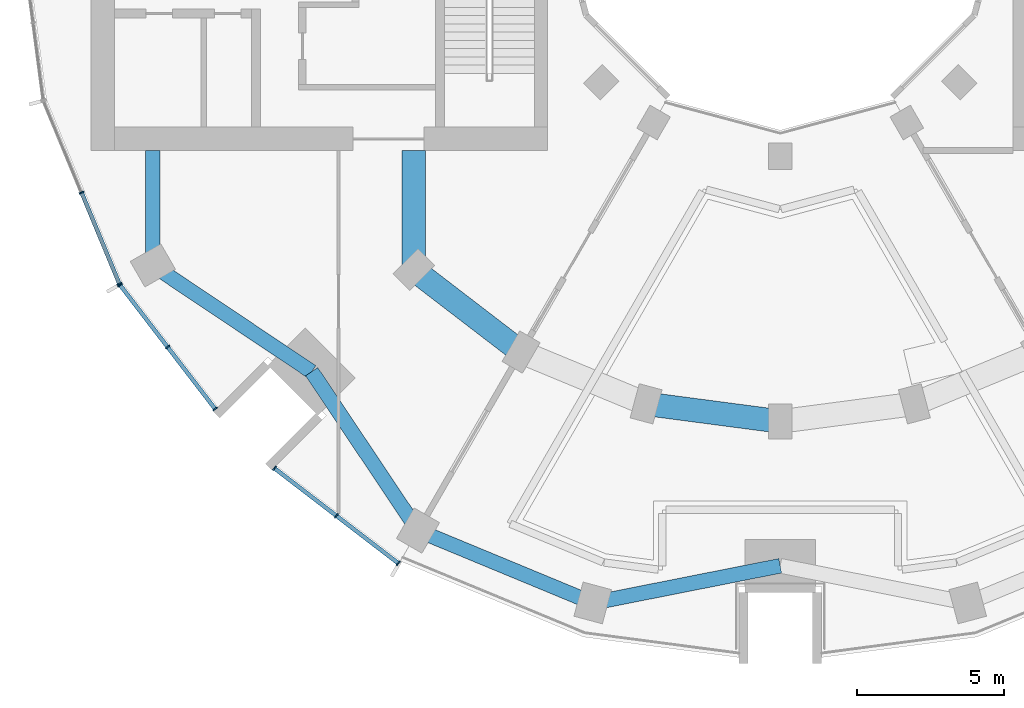
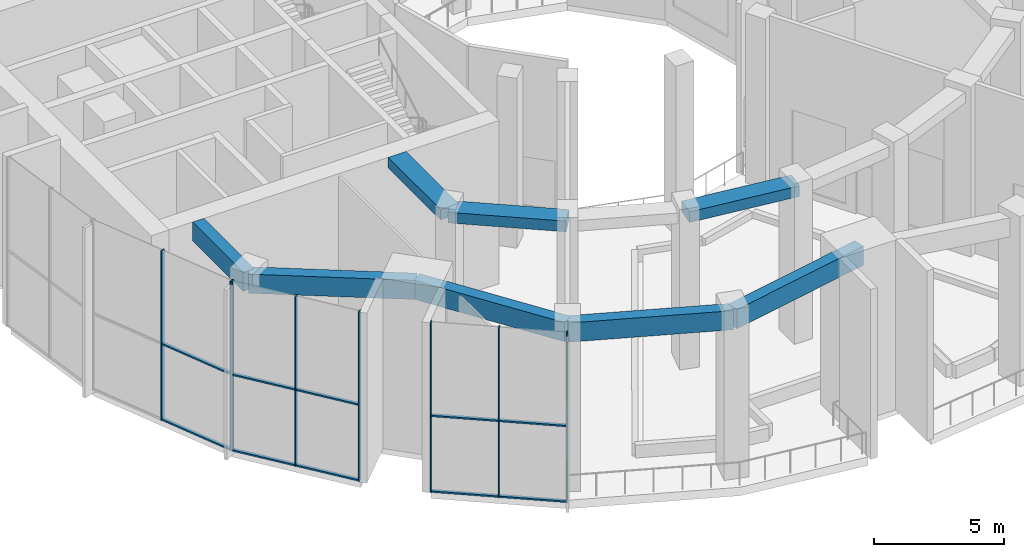
# One storey, part 2 of 18: 18 members, 8 beams, 3 elements without a shape of their own.
"""IFC4 building model written with IfcOpenShell, lengths in metres."""

from ifc_helpers import new_model, si_unit, direction, frame, origin, origin_2d, place, context, subcontext, project, spatial, rectangle, extrude, material, layer, layer_set, material_profile, profile_set, type_object, element, aggregate, save


model = new_model("IFC4")

# Units and contexts
model_context = context("Model", 3, precision=1e-05, world=origin(), true_north=direction((0.0, 1.0)))
body_context = subcontext(model_context, "Body", "Model", "MODEL_VIEW")
ifc_project = project(units=[si_unit("LENGTHUNIT", "METRE"), si_unit("AREAUNIT", "SQUARE_METRE"), si_unit("VOLUMEUNIT", "CUBIC_METRE"), si_unit("PLANEANGLEUNIT", "RADIAN"), si_unit("MASSUNIT", "GRAM", prefix="KILO")], contexts=[model_context])

# Site, building, storey
site_placement = place(None, origin())
site = spatial("IfcSite", under=ifc_project, at=site_placement, CompositionType="ELEMENT")
building_placement = place(site_placement, origin())
building = spatial("IfcBuilding", under=site, at=building_placement, Name="Torre Brocal", CompositionType="ELEMENT")
storey_placement = place(building_placement, frame((0.0, 0.0, 74.39990234375)))
storey = spatial("IfcBuildingStorey", under=building, at=storey_placement, Name="L17", CompositionType="ELEMENT", Elevation=74.39990234375)

# Curtain wall, members
ifc_material_1 = material(Name="Aluminium and glass", Category="aluminium")
ifc_layer = layer(ifc_material_1, 0.199951171875)
ifc_layer_set = layer_set([ifc_layer], Name="Aluminium and glass")
curtain_wall_type = type_object("IfcCurtainWallType", Name="CW-4 CURTAIN WALL 8000 HIGH", PredefinedType="NOTDEFINED", material=ifc_layer_set)
curtain_wall_1_placement = place(storey_placement, origin())
curtain_wall_1 = element("IfcCurtainWall", 1, at=curtain_wall_1_placement, inside=storey, type_object=curtain_wall_type, Name="CW-4 RUN 14", PredefinedType="NOTDEFINED")
ifc_material_2 = material(Name="Aluminium, dark anodised", Category="aluminium")
ifc_material_profile_1 = material_profile(ifc_material_2, rectangle(XDim=0.179931640625, YDim=0.050048828125, at=origin_2d()), Name="CW-4 MULLION 50X180")
ifc_profile_set_1 = profile_set([ifc_material_profile_1], Name="Aluminium, dark anodised")
member_type_1 = type_object("IfcMemberType", Name="CW-4 MULLION 50X180", PredefinedType="MULLION", material=ifc_profile_set_1)
member_1_placement = place(storey_placement, frame((56.277099609375, 65.173583984375, 0.0), z_axis=(0.0, 0.0, 1.0), x_axis=(0.923879532525, 0.382683432333, 0.0)))
member_1 = element("IfcMember", 2, at=member_1_placement, type_object=member_type_1, Name="CW4-1 mullion 2", PredefinedType="MULLION", context=body_context, shape_type="SweptSolid", body=[
    extrude(rectangle(XDim=0.179931640625, YDim=0.050048828125, at=origin_2d()), origin(), (0.0, 0.0, 1.0), 8.0),
])
member_2_placement = place(storey_placement, frame((57.56103515625, 62.073486328125, 0.0), z_axis=(0.0, 0.0, 1.0), x_axis=(0.923879532525, 0.382683432333, 0.0)))
member_2 = element("IfcMember", 3, at=member_2_placement, type_object=member_type_1, Name="CW4-1 mullion 3", PredefinedType="MULLION", context=body_context, shape_type="SweptSolid", body=[
    extrude(rectangle(XDim=0.179931640625, YDim=0.050048828125, at=origin_2d()), origin(), (0.0, 0.0, 1.0), 8.0),
])

curtain_wall_2_placement = place(storey_placement, origin())
curtain_wall_2 = element("IfcCurtainWall", 4, at=curtain_wall_2_placement, inside=storey, type_object=curtain_wall_type, Name="CW-4 RUN 15", PredefinedType="NOTDEFINED")
member_3_placement = place(storey_placement, frame((57.5859375, 62.030517578125, 0.0), z_axis=(0.0, 0.0, 1.0), x_axis=(0.793353340259, 0.60876142905, 0.0)))
member_3 = element("IfcMember", 5, at=member_3_placement, type_object=member_type_1, Name="CW4-1 mullion 1", PredefinedType="MULLION", context=body_context, shape_type="SweptSolid", body=[
    extrude(rectangle(XDim=0.179931640625, YDim=0.050048828125, at=origin_2d()), origin(), (0.0, 0.0, 1.0), 8.0),
])
member_4_placement = place(storey_placement, frame((59.19873046875, 59.9287109375, 0.0), z_axis=(0.0, 0.0, 1.0), x_axis=(0.793353340259, 0.60876142905, 0.0)))
member_4 = element("IfcMember", 6, at=member_4_placement, type_object=member_type_1, Name="CW4-1 mullion 2", PredefinedType="MULLION", context=body_context, shape_type="SweptSolid", body=[
    extrude(rectangle(XDim=0.179931640625, YDim=0.050048828125, at=origin_2d()), origin(), (0.0, 0.0, 1.0), 8.0),
])
member_5_placement = place(storey_placement, frame((60.811767578125, 57.82666015625, 0.0), z_axis=(0.0, 0.0, 1.0), x_axis=(0.793353340259, 0.60876142905, 0.0)))
member_5 = element("IfcMember", 7, at=member_5_placement, type_object=member_type_1, Name="CW4-1 mullion 3", PredefinedType="MULLION", context=body_context, shape_type="SweptSolid", body=[
    extrude(rectangle(XDim=0.179931640625, YDim=0.050048828125, at=origin_2d()), origin(), (0.0, 0.0, 1.0), 8.0),
])

curtain_wall_3_placement = place(storey_placement, origin())
curtain_wall_3 = element("IfcCurtainWall", 8, at=curtain_wall_3_placement, inside=storey, type_object=curtain_wall_type, Name="CW-4 RUN 16", PredefinedType="NOTDEFINED")
member_6_placement = place(storey_placement, frame((62.82666015625, 55.811767578125, 0.0), z_axis=(0.0, 0.0, 1.0), x_axis=(0.60876142905, 0.793353340259, 0.0)))
member_6 = element("IfcMember", 9, at=member_6_placement, type_object=member_type_1, Name="CW4-1 mullion 1", PredefinedType="MULLION", context=body_context, shape_type="SweptSolid", body=[
    extrude(rectangle(XDim=0.179931640625, YDim=0.050048828125, at=origin_2d()), origin(), (0.0, 0.0, 1.0), 8.0),
])
member_7_placement = place(storey_placement, frame((64.9287109375, 54.19873046875, 0.0), z_axis=(0.0, 0.0, 1.0), x_axis=(0.60876142905, 0.793353340259, 0.0)))
member_7 = element("IfcMember", 10, at=member_7_placement, type_object=member_type_1, Name="CW4-1 mullion 2", PredefinedType="MULLION", context=body_context, shape_type="SweptSolid", body=[
    extrude(rectangle(XDim=0.179931640625, YDim=0.050048828125, at=origin_2d()), origin(), (0.0, 0.0, 1.0), 8.0),
])
member_8_placement = place(storey_placement, frame((67.030517578125, 52.5859375, 0.0), z_axis=(0.0, 0.0, 1.0), x_axis=(0.60876142905, 0.793353340259, 0.0)))
member_8 = element("IfcMember", 11, at=member_8_placement, type_object=member_type_1, Name="CW4-1 mullion 3", PredefinedType="MULLION", context=body_context, shape_type="SweptSolid", body=[
    extrude(rectangle(XDim=0.179931640625, YDim=0.050048828125, at=origin_2d()), origin(), (0.0, 0.0, 1.0), 8.0),
])

# Member
ifc_material_3 = material(Name="Aluminium, dark anodised", Category="aluminium")
ifc_material_profile_2 = material_profile(ifc_material_3, rectangle(XDim=0.139892578125, YDim=0.070068359375, at=origin_2d()), Name="CW-4 TRANSOM 140X70")
ifc_profile_set_2 = profile_set([ifc_material_profile_2], Name="Aluminium, dark anodised")
member_type_2 = type_object("IfcMemberType", Name="CW-4 TRANSOM 140X70", PredefinedType="USERDEFINED", material=ifc_profile_set_2)
member_9_placement = place(storey_placement, frame((56.28662109375, 65.150634765625, 0.03515625), z_axis=(0.382658376168, -0.92388991073, 0.0), x_axis=(0.92388991073, 0.382658376168, 0.0)))
member_9 = element("IfcMember", 12, at=member_9_placement, type_object=member_type_2, Name="CW4-1 transom 2.1", ObjectType="TRANSOM", PredefinedType="USERDEFINED", context=body_context, shape_type="SweptSolid", body=[
    extrude(rectangle(XDim=0.139892578125, YDim=0.070068359375, at=origin_2d()), origin(), (0.0, 0.0, 1.0), 3.305419921875),
])

member_10_placement = place(storey_placement, frame((56.28662109375, 65.150634765625, 3.60009765625), z_axis=(0.382658376168, -0.92388991073, 0.0), x_axis=(0.92388991073, 0.382658376168, 0.0)))
member_10 = element("IfcMember", 13, at=member_10_placement, type_object=member_type_2, Name="CW4-1 transom 2.2", ObjectType="TRANSOM", PredefinedType="USERDEFINED", context=body_context, shape_type="SweptSolid", body=[
    extrude(rectangle(XDim=0.139892578125, YDim=0.070068359375, at=origin_2d()), origin(), (0.0, 0.0, 1.0), 3.305419921875),
])

aggregate(curtain_wall_1, [member_1, member_2, member_9, member_10])

member_11_placement = place(storey_placement, frame((57.60107421875, 62.0107421875, 0.03515625), z_axis=(0.608784419977, -0.793335698171, 0.0), x_axis=(0.793335698171, 0.608784419977, 0.0)))
member_11 = element("IfcMember", 14, at=member_11_placement, type_object=member_type_2, Name="CW4-1 transom 1.1", ObjectType="TRANSOM", PredefinedType="USERDEFINED", context=body_context, shape_type="SweptSolid", body=[
    extrude(rectangle(XDim=0.139892578125, YDim=0.070068359375, at=origin_2d()), origin(), (0.0, 0.0, 1.0), 2.599365234375),
])

member_12_placement = place(storey_placement, frame((57.60107421875, 62.0107421875, 3.60009765625), z_axis=(0.608784419977, -0.793335698171, 0.0), x_axis=(0.793335698171, 0.608784419977, 0.0)))
member_12 = element("IfcMember", 15, at=member_12_placement, type_object=member_type_2, Name="CW4-1 transom 1.2", ObjectType="TRANSOM", PredefinedType="USERDEFINED", context=body_context, shape_type="SweptSolid", body=[
    extrude(rectangle(XDim=0.139892578125, YDim=0.070068359375, at=origin_2d()), origin(), (0.0, 0.0, 1.0), 2.599365234375),
])

member_13_placement = place(storey_placement, frame((59.214111328125, 59.90869140625, 0.03515625), z_axis=(0.608725303881, -0.79338105877, 0.0), x_axis=(0.79338105877, 0.608725303881, 0.0)))
member_13 = element("IfcMember", 16, at=member_13_placement, type_object=member_type_2, Name="CW4-1 transom 2.1", ObjectType="TRANSOM", PredefinedType="USERDEFINED", context=body_context, shape_type="SweptSolid", body=[
    extrude(rectangle(XDim=0.139892578125, YDim=0.070068359375, at=origin_2d()), origin(), (0.0, 0.0, 1.0), 2.599365234375),
])

member_14_placement = place(storey_placement, frame((59.214111328125, 59.90869140625, 3.60009765625), z_axis=(0.608725303881, -0.79338105877, 0.0), x_axis=(0.79338105877, 0.608725303881, 0.0)))
member_14 = element("IfcMember", 17, at=member_14_placement, type_object=member_type_2, Name="CW4-1 transom 2.2", ObjectType="TRANSOM", PredefinedType="USERDEFINED", context=body_context, shape_type="SweptSolid", body=[
    extrude(rectangle(XDim=0.139892578125, YDim=0.070068359375, at=origin_2d()), origin(), (0.0, 0.0, 1.0), 2.599365234375),
])

aggregate(curtain_wall_2, [member_3, member_4, member_5, member_11, member_12, member_13, member_14])

member_15_placement = place(storey_placement, frame((62.846435546875, 55.79638671875, 0.03515625), z_axis=(0.79338105877, -0.608725303881, 0.0), x_axis=(0.608725303881, 0.79338105877, 0.0)))
member_15 = element("IfcMember", 18, at=member_15_placement, type_object=member_type_2, Name="CW4-1 transom 1.1", ObjectType="TRANSOM", PredefinedType="USERDEFINED", context=body_context, shape_type="SweptSolid", body=[
    extrude(rectangle(XDim=0.139892578125, YDim=0.070068359375, at=origin_2d()), origin(), (0.0, 0.0, 1.0), 2.599365234375),
])

member_16_placement = place(storey_placement, frame((62.846435546875, 55.79638671875, 3.60009765625), z_axis=(0.79338105877, -0.608725303881, 0.0), x_axis=(0.608725303881, 0.79338105877, 0.0)))
member_16 = element("IfcMember", 19, at=member_16_placement, type_object=member_type_2, Name="CW4-1 transom 1.2", ObjectType="TRANSOM", PredefinedType="USERDEFINED", context=body_context, shape_type="SweptSolid", body=[
    extrude(rectangle(XDim=0.139892578125, YDim=0.070068359375, at=origin_2d()), origin(), (0.0, 0.0, 1.0), 2.599365234375),
])

member_17_placement = place(storey_placement, frame((64.948486328125, 54.18359375, 0.03515625), z_axis=(0.793335698171, -0.608784419977, 0.0), x_axis=(0.608784419977, 0.793335698171, 0.0)))
member_17 = element("IfcMember", 20, at=member_17_placement, type_object=member_type_2, Name="CW4-1 transom 2.1", ObjectType="TRANSOM", PredefinedType="USERDEFINED", context=body_context, shape_type="SweptSolid", body=[
    extrude(rectangle(XDim=0.139892578125, YDim=0.070068359375, at=origin_2d()), origin(), (0.0, 0.0, 1.0), 2.599365234375),
])

member_18_placement = place(storey_placement, frame((64.948486328125, 54.18359375, 3.60009765625), z_axis=(0.793335698171, -0.608784419977, 0.0), x_axis=(0.608784419977, 0.793335698171, 0.0)))
member_18 = element("IfcMember", 21, at=member_18_placement, type_object=member_type_2, Name="CW4-1 transom 2.2", ObjectType="TRANSOM", PredefinedType="USERDEFINED", context=body_context, shape_type="SweptSolid", body=[
    extrude(rectangle(XDim=0.139892578125, YDim=0.070068359375, at=origin_2d()), origin(), (0.0, 0.0, 1.0), 2.599365234375),
])

aggregate(curtain_wall_3, [member_6, member_7, member_8, member_15, member_16, member_17, member_18])

# Beams
ifc_material_4 = material(Name="Concrete C50", Category="concrete")
ifc_material_profile_3 = material_profile(ifc_material_4, rectangle(XDim=0.800048828125, YDim=0.5, at=origin_2d()), Name="RC 800X500")
ifc_profile_set_3 = profile_set([ifc_material_profile_3], Name="Concrete C50")
beam_type_1 = type_object("IfcBeamType", Name="RC BEAM 800X500 C50 TOP 7680", PredefinedType="BEAM", material=ifc_profile_set_3)
beam_1_placement = place(storey_placement, frame((67.554931640625, 62.554931640625, 7.43017578125), z_axis=(0.0, 1.0, 0.0), x_axis=(-1.0, 0.0, 0.0)))
element("IfcBeam", 22, at=beam_1_placement, inside=storey, type_object=beam_type_1, Name="Beam BT-23", PredefinedType="BEAM", context=body_context, shape_type="SweptSolid", body=[
    extrude(rectangle(XDim=0.800048828125, YDim=0.5, at=origin_2d()), origin(), (0.0, 0.0, 1.0), 4.045166015625),
])
for number, where, z_axis, x_axis, name in (
    (23, (67.554931640625, 62.554931640625, 7.43017578125), (0.793358265959, -0.6087550097, 0.0), (0.6087550097, 0.793358265959, 0.0), "Beam BT-23"),
    (24, (75.44482421875, 57.999755859375, 7.43017578125), (0.991440544449, -0.130558978332, 0.0), (0.130558978332, 0.991440544449, 0.0), "Beam BT-23"),
):
    element("IfcBeam", number, at=place(storey_placement, frame(where, z_axis=z_axis, x_axis=x_axis)), inside=storey, type_object=beam_type_1, Name=name, PredefinedType="BEAM", context=body_context, shape_type="SweptSolid", body=[
        extrude(rectangle(XDim=0.800048828125, YDim=0.5, at=origin_2d()), origin(), (0.0, 0.0, 1.0), 4.594482421875),
    ])
ifc_material_5 = material(Name="Concrete C50", Category="concrete")
ifc_material_profile_4 = material_profile(ifc_material_5, rectangle(XDim=0.5, YDim=0.89990234375, at=origin_2d()), Name="RC 500X900")
ifc_profile_set_4 = profile_set([ifc_material_profile_4], Name="Concrete C50")
beam_type_2 = type_object("IfcBeamType", Name="RC SPANDREL BEAM 500X900 C50 TOP 7680", PredefinedType="SPANDREL", material=ifc_profile_set_4)
beam_2_placement = place(storey_placement, frame((58.69580078125, 62.699951171875, 7.22998046875), z_axis=(0.0, 1.0, 0.0), x_axis=(-1.0, 0.0, 0.0)))
element("IfcBeam", 25, at=beam_2_placement, inside=storey, type_object=beam_type_2, Name="Beam BT-24", PredefinedType="SPANDREL", context=body_context, shape_type="SweptSolid", body=[
    extrude(rectangle(XDim=0.5, YDim=0.89990234375, at=origin_2d()), origin(), (0.0, 0.0, 1.0), 3.900146484375),
])
for number, where, z_axis, x_axis, name in (
    (26, (58.69580078125, 62.699951171875, 7.22998046875), (0.831076844476, -0.556157602282, 0.0), (0.556157602282, 0.831076844476, 0.0), "Beam BT-24"),
    (27, (64.090087890625, 59.090087890625, 7.22998046875), (0.556157602282, -0.831076844476, 0.0), (0.831076844476, 0.556157602282, 0.0), "Beam BT-24"),
):
    element("IfcBeam", number, at=place(storey_placement, frame(where, z_axis=z_axis, x_axis=x_axis)), inside=storey, type_object=beam_type_2, Name=name, PredefinedType="SPANDREL", context=body_context, shape_type="SweptSolid", body=[
        extrude(rectangle(XDim=0.5, YDim=0.89990234375, at=origin_2d()), origin(), (0.0, 0.0, 1.0), 6.49072265625),
    ])
beam_3_placement = place(storey_placement, frame((67.699951171875, 53.69580078125, 7.22998046875), z_axis=(0.923882462513, -0.382676358639, 0.0), x_axis=(0.382676358639, 0.923882462513, 0.0)))
element("IfcBeam", 28, at=beam_3_placement, inside=storey, type_object=beam_type_2, Name="Beam BT-24", PredefinedType="SPANDREL", context=body_context, shape_type="SweptSolid", body=[
    extrude(rectangle(XDim=0.5, YDim=0.89990234375, at=origin_2d()), origin(), (0.0, 0.0, 1.0), 6.421875),
])
beam_4_placement = place(storey_placement, frame((73.633056640625, 51.23828125, 7.22998046875), z_axis=(0.980924907484, 0.194387051723, 0.0), x_axis=(-0.194387051723, 0.980924907484, 0.0)))
element("IfcBeam", 29, at=beam_4_placement, inside=storey, type_object=beam_type_2, Name="Beam BT-24", PredefinedType="SPANDREL", context=body_context, shape_type="SweptSolid", body=[
    extrude(rectangle(XDim=0.5, YDim=0.89990234375, at=origin_2d()), origin(), (0.0, 0.0, 1.0), 6.49072265625),
])

save(model, "model.ifc")
